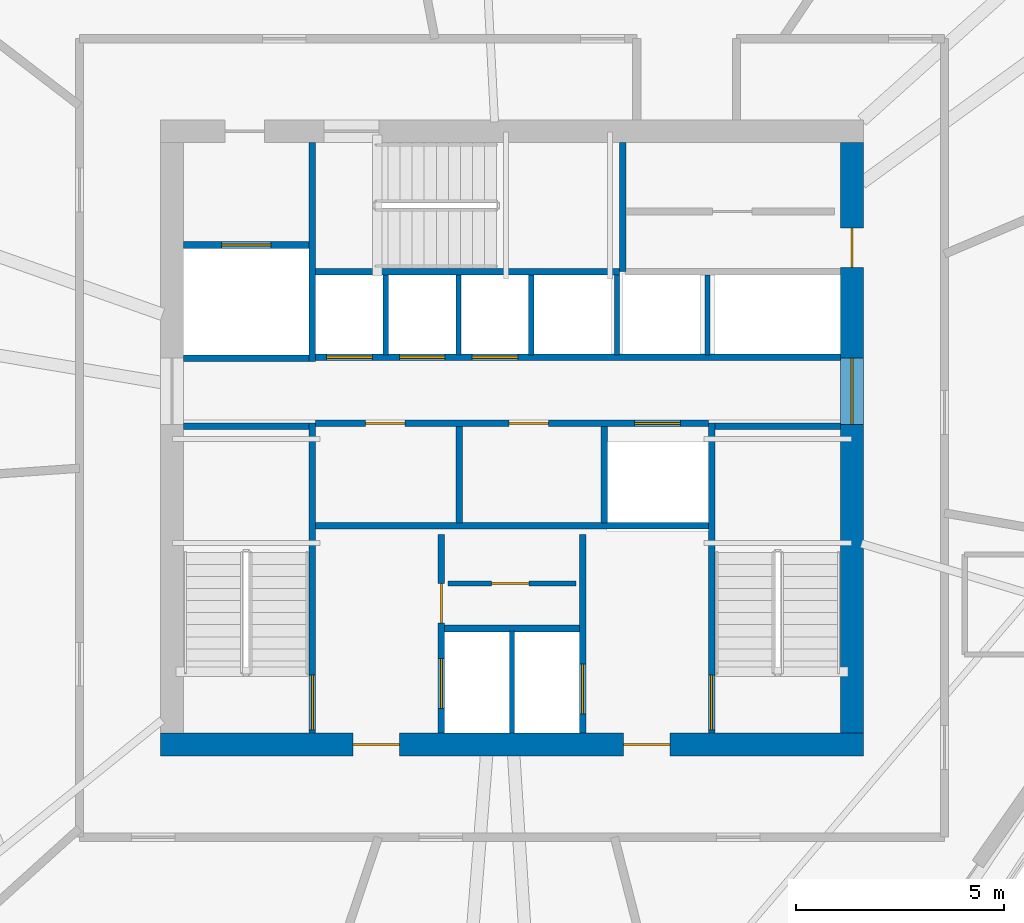
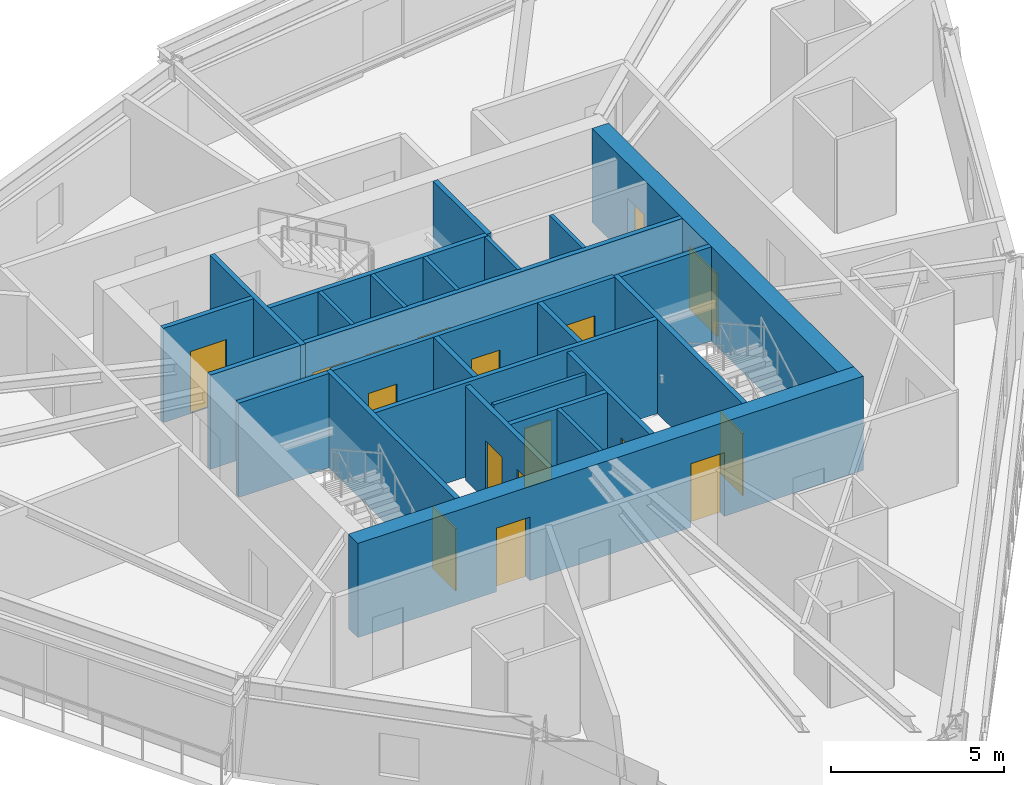
# One storey, part 8 of 13: 26 walls, 17 doors, 17 openings.
"""IFC4 building model written with IfcOpenShell, lengths in metres."""

from ifc_helpers import new_model, si_unit, direction, frame, frame_2d, origin, place, context, subcontext, project, spatial, rectangle, extrude, source, transform, mapped, material, layer, layer_set, type_object, type_shapes, element, fill, save


model = new_model("IFC4")

# Units and contexts
model_context = context("Model", 3, precision=1e-05, world=origin(), true_north=direction((0.0, 1.0)))
body_context = subcontext(model_context, "Body", "Model", "MODEL_VIEW")
ifc_project = project(units=[si_unit("LENGTHUNIT", "METRE"), si_unit("AREAUNIT", "SQUARE_METRE"), si_unit("VOLUMEUNIT", "CUBIC_METRE"), si_unit("PLANEANGLEUNIT", "RADIAN"), si_unit("MASSUNIT", "GRAM", prefix="KILO")], contexts=[model_context])

# Site, building, storey
site_placement = place(None, origin())
site = spatial("IfcSite", under=ifc_project, at=site_placement, CompositionType="ELEMENT")
building_placement = place(site_placement, origin())
building = spatial("IfcBuilding", under=site, at=building_placement, Name="Olszyna Solenne Hotel", CompositionType="ELEMENT")
storey_placement = place(building_placement, frame((0.0, 0.0, 189.199951171875)))
storey = spatial("IfcBuildingStorey", under=building, at=storey_placement, Name="L50", CompositionType="ELEMENT", Elevation=189.199951171875)

# Wall, openings, doors
ifc_material_1 = material(Name="Concrete C50/60", Category="concrete")
ifc_layer_1 = layer(ifc_material_1, 0.550048828125, Name="Concrete C50/60")
ifc_layer_set_1 = layer_set([ifc_layer_1], Name="Concrete C50/60")
wall_type_1 = type_object("IfcWallType", Name="WL-CR550", PredefinedType="SHEAR", material=ifc_layer_set_1)
wall_1_placement = place(storey_placement, frame((46.449951171875, 19.22509765625, 0.0), z_axis=(0.0, 0.0, 1.0), x_axis=(-1.0, 0.0, 0.0)))
wall_1 = element("IfcWall", 1, at=wall_1_placement, inside=storey, type_object=wall_type_1, Name="Core shear wall WL-CR550 CRW-L50-S", PredefinedType="SHEAR", context=body_context, shape_type="SweptSolid", body=[
    extrude(rectangle(XDim=16.89990234375, YDim=0.550048828125, at=frame_2d((8.449951171875, 0.0))), origin(), (0.0, 0.0, 1.0), 3.330078125),
])
opening_1_placement = place(wall_1_placement, frame((4.64990234375, 0.0, 0.0)))
opening_1 = element("IfcOpeningElement", 2, at=opening_1_placement, cuts=wall_1, Name="Opening FL-L50-1", PredefinedType="OPENING", context=body_context, shape_type="SweptSolid", body=[
    extrude(rectangle(XDim=1.1201171875, YDim=2.25, at=frame_2d((0.56005859375, 1.125))), frame((0.0, 0.28515625, 0.0), z_axis=(0.0, -1.0, 0.0), x_axis=(1.0, 0.0, 0.0)), (0.0, 0.0, 1.0), 0.570068359375),
])
opening_2_placement = place(wall_1_placement, frame((11.14990234375, 0.0, 0.0)))
opening_2 = element("IfcOpeningElement", 3, at=opening_2_placement, cuts=wall_1, Name="Opening FL-L50-2", PredefinedType="OPENING", context=body_context, shape_type="SweptSolid", body=[
    extrude(rectangle(XDim=1.1201171875, YDim=2.25, at=frame_2d((0.56005859375, 1.125))), frame((0.0, 0.28515625, 0.0), z_axis=(0.0, -1.0, 0.0), x_axis=(1.0, 0.0, 0.0)), (0.0, 0.0, 1.0), 0.570068359375),
])
ifc_material_2 = material(Name="Steel S355J2", Category="steel")
door_type_1 = type_object("IfcDoorType", Name="DR-FL1", OperationType="NOTDEFINED", PredefinedType="DOOR", material=ifc_material_2)
shared_shape_1 = source(origin(), body_context, "Body", "SweptSolid", [
    extrude(rectangle(XDim=1.1201171875, YDim=2.25, at=frame_2d((0.56005859375, 1.125))), frame((0.0, 0.02490234375, 0.0), z_axis=(0.0, -1.0, 0.0), x_axis=(1.0, 0.0, 0.0)), (0.0, 0.0, 1.0), 0.050048828125),
])
type_shapes(door_type_1, [shared_shape_1])
door_1_placement = place(opening_1_placement, origin())
door_1 = element("IfcDoor", 4, at=door_1_placement, inside=storey, type_object=door_type_1, Name="Firefighting lift lobby smoke door FL-L50-1", OperationType="SINGLE_SWING_LEFT", OverallHeight=2.25, OverallWidth=1.1201171875, PredefinedType="DOOR", context=body_context, shape_type="MappedRepresentation", body=[
    mapped(shared_shape_1, transform((0.0, 0.0, 0.0), x_axis=(1.0, 0.0, 0.0), y_axis=(0.0, 1.0, 0.0), z_axis=(0.0, 0.0, 1.0), scale=1.0)),
])
fill(opening_1, door_1)
door_2_placement = place(opening_2_placement, origin())
door_2 = element("IfcDoor", 5, at=door_2_placement, inside=storey, type_object=door_type_1, Name="Firefighting lift lobby smoke door FL-L50-2", OperationType="SINGLE_SWING_RIGHT", OverallHeight=2.25, OverallWidth=1.1201171875, PredefinedType="DOOR", context=body_context, shape_type="MappedRepresentation", body=[
    mapped(shared_shape_1, transform((0.0, 0.0, 0.0), x_axis=(1.0, 0.0, 0.0), y_axis=(0.0, 1.0, 0.0), z_axis=(0.0, 0.0, 1.0), scale=1.0)),
])
fill(opening_2, door_2)

wall_2_placement = place(storey_placement, frame((46.175048828125, 33.699951171875, 0.0), z_axis=(0.0, 0.0, 1.0), x_axis=(0.0, -1.0, 0.0)))
wall_2 = element("IfcWall", 6, at=wall_2_placement, inside=storey, type_object=wall_type_1, Name="Core shear wall WL-CR550 CRW-L50-E", PredefinedType="SHEAR", context=body_context, shape_type="SweptSolid", body=[
    extrude(rectangle(XDim=14.199951171875, YDim=0.550048828125, at=frame_2d((7.10009765625, 0.0))), origin(), (0.0, 0.0, 1.0), 3.330078125),
])
opening_3_placement = place(wall_2_placement, frame((5.179931640625, 0.0, 0.0)))
opening_3 = element("IfcOpeningElement", 7, at=opening_3_placement, cuts=wall_2, Name="Opening LHD-L50-E", PredefinedType="OPENING", context=body_context, shape_type="SweptSolid", body=[
    extrude(rectangle(XDim=1.60009765625, YDim=2.199951171875, at=frame_2d((0.800048828125, 1.10009765625))), frame((0.0, 0.28515625, 0.0), z_axis=(0.0, -1.0, 0.0), x_axis=(1.0, 0.0, 0.0)), (0.0, 0.0, 1.0), 0.570068359375),
])
opening_4_placement = place(wall_2_placement, frame((2.050048828125, 0.0, 0.0)))
opening_4 = element("IfcOpeningElement", 8, at=opening_4_placement, cuts=wall_2, Name="Opening SVD-L50-BE", PredefinedType="OPENING", context=body_context, shape_type="SweptSolid", body=[
    extrude(rectangle(XDim=0.949951171875, YDim=2.10009765625, at=frame_2d((0.47509765625, 1.050048828125))), frame((0.0, 0.28515625, 0.0), z_axis=(0.0, -1.0, 0.0), x_axis=(1.0, 0.0, 0.0)), (0.0, 0.0, 1.0), 0.570068359375),
])
door_type_2 = type_object("IfcDoorType", Name="DR-SV1", OperationType="NOTDEFINED", PredefinedType="DOOR", material=ifc_material_2)
shared_shape_2 = source(origin(), body_context, "Body", "SweptSolid", [
    extrude(rectangle(XDim=0.949951171875, YDim=2.10009765625, at=frame_2d((0.47509765625, 1.050048828125))), frame((0.0, 0.02490234375, 0.0), z_axis=(0.0, -1.0, 0.0), x_axis=(1.0, 0.0, 0.0)), (0.0, 0.0, 1.0), 0.050048828125),
])
type_shapes(door_type_2, [shared_shape_2])
door_3_placement = place(opening_4_placement, origin())
door_3 = element("IfcDoor", 9, at=door_3_placement, inside=storey, type_object=door_type_2, Name="Housekeeping core fire door SVD-L50-BE", OperationType="SINGLE_SWING_RIGHT", OverallHeight=2.10009765625, OverallWidth=0.949951171875, PredefinedType="DOOR", context=body_context, shape_type="MappedRepresentation", body=[
    mapped(shared_shape_2, transform((0.0, 0.0, 0.0), x_axis=(1.0, 0.0, 0.0), y_axis=(0.0, 1.0, 0.0), z_axis=(0.0, 0.0, 1.0), scale=1.0)),
])
fill(opening_4, door_3)
ifc_material_3 = material(Name="Timber hardwood", Category="wood")
door_type_3 = type_object("IfcDoorType", Name="DR-CR1", OperationType="DOUBLE_DOOR_SINGLE_SWING", PredefinedType="DOOR", material=ifc_material_3)
shared_shape_3 = source(origin(), body_context, "Body", "SweptSolid", [
    extrude(rectangle(XDim=1.60009765625, YDim=2.199951171875, at=frame_2d((0.800048828125, 1.10009765625))), frame((0.0, 0.02490234375, 0.0), z_axis=(0.0, -1.0, 0.0), x_axis=(1.0, 0.0, 0.0)), (0.0, 0.0, 1.0), 0.050048828125),
])
type_shapes(door_type_3, [shared_shape_3])
door_4_placement = place(opening_3_placement, origin())
door_4 = element("IfcDoor", 10, at=door_4_placement, inside=storey, type_object=door_type_3, Name="Passenger lift lobby East fire door LHD-L50-E", OperationType="DOUBLE_DOOR_SINGLE_SWING", OverallHeight=2.199951171875, OverallWidth=1.60009765625, PredefinedType="DOOR", context=body_context, shape_type="MappedRepresentation", body=[
    mapped(shared_shape_3, transform((0.0, 0.0, 0.0), x_axis=(1.0, 0.0, 0.0), y_axis=(0.0, 1.0, 0.0), z_axis=(0.0, 0.0, 1.0), scale=1.0)),
])
fill(opening_3, door_4)

# Wall
ifc_material_4 = material(Name="Acoustic gypsum partition", Category="gypsum")
ifc_layer_2 = layer(ifc_material_4, 0.125, Name="Acoustic gypsum partition")
ifc_layer_set_2 = layer_set([ifc_layer_2], Name="Acoustic gypsum partition")
wall_type_2 = type_object("IfcWallType", Name="WL-PT125", PredefinedType="PARTITIONING", material=ifc_layer_set_2)
wall_3_placement = place(storey_placement, frame((38.0, 19.5, 0.0), z_axis=(0.0, 0.0, 1.0), x_axis=(0.0, 1.0, 0.0)))
element("IfcWall", 11, at=wall_3_placement, inside=storey, type_object=wall_type_2, Name="Core shaft compartment wall CW-L50-FFM", PredefinedType="PARTITIONING", context=body_context, shape_type="SweptSolid", body=[
    extrude(rectangle(XDim=2.4599609375, YDim=0.125, at=frame_2d((1.22998046875, 0.0))), origin(), (0.0, 0.0, 1.0), 3.330078125),
])

# Wall, opening, door
wall_4_placement = place(storey_placement, frame((36.4599609375, 23.10205078125, 0.0), z_axis=(0.0, 0.0, 1.0), x_axis=(1.0, 0.0, 0.0)))
wall_4 = element("IfcWall", 12, at=wall_4_placement, inside=storey, type_object=wall_type_2, Name="Core shaft compartment wall CW-L50-SC2", PredefinedType="PARTITIONING", context=body_context, shape_type="SweptSolid", body=[
    extrude(rectangle(XDim=3.080078125, YDim=0.125, at=frame_2d((1.5400390625, 0.0))), origin(), (0.0, 0.0, 1.0), 3.330078125),
])
opening_5_placement = place(wall_4_placement, frame((1.050048828125, 0.0, 0.0)))
opening_5 = element("IfcOpeningElement", 13, at=opening_5_placement, cuts=wall_4, Name="Opening SVD-L50-SC2", PredefinedType="OPENING", context=body_context, shape_type="SweptSolid", body=[
    extrude(rectangle(XDim=0.89990234375, YDim=2.10009765625, at=frame_2d((0.449951171875, 1.050048828125))), frame((0.0, 0.072509765625, 0.0), z_axis=(0.0, -1.0, 0.0), x_axis=(1.0, 0.0, 0.0)), (0.0, 0.0, 1.0), 0.14501953125),
])
door_type_4 = type_object("IfcDoorType", Name="DR-WC1", OperationType="NOTDEFINED", PredefinedType="DOOR", material=ifc_material_3)
shared_shape_4 = source(origin(), body_context, "Body", "SweptSolid", [
    extrude(rectangle(XDim=0.89990234375, YDim=2.10009765625, at=frame_2d((0.449951171875, 1.050048828125))), frame((0.0, 0.02490234375, 0.0), z_axis=(0.0, -1.0, 0.0), x_axis=(1.0, 0.0, 0.0)), (0.0, 0.0, 1.0), 0.050048828125),
])
type_shapes(door_type_4, [shared_shape_4])
door_5_placement = place(opening_5_placement, origin())
door_5 = element("IfcDoor", 14, at=door_5_placement, inside=storey, type_object=door_type_4, Name="Butler pantry door SVD-L50-SC2", OperationType="SINGLE_SWING_RIGHT", OverallHeight=2.10009765625, OverallWidth=0.89990234375, PredefinedType="DOOR", context=body_context, shape_type="MappedRepresentation", body=[
    mapped(shared_shape_4, transform((0.0, 0.0, 0.0), x_axis=(1.0, 0.0, 0.0), y_axis=(0.0, 1.0, 0.0), z_axis=(0.0, 0.0, 1.0), scale=1.0)),
])
fill(opening_5, door_5)

# Walls
for number, where, z_axis, x_axis, name in (
    (15, (34.965087890625, 28.60009765625, 0.0), (0.0, 0.0, 1.0), (0.0, 1.0, 0.0), "Core shaft compartment wall CW-L50-DIVN349"),
    (16, (36.715087890625, 28.60009765625, 0.0), (0.0, 0.0, 1.0), (0.0, 1.0, 0.0), "Core shaft compartment wall CW-L50-DIVN367"),
    (17, (38.465087890625, 28.60009765625, 0.0), (0.0, 0.0, 1.0), (0.0, 1.0, 0.0), "Core shaft compartment wall CW-L50-DIVN384"),
    (18, (40.52490234375, 28.60009765625, 0.0), (0.0, 0.0, 1.0), (0.0, 1.0, 0.0), "Core shaft compartment wall CW-L50-DIVEX405"),
    (19, (42.699951171875, 28.60009765625, 0.0), (0.0, 0.0, 1.0), (0.0, 1.0, 0.0), "Core shaft compartment wall CW-L50-DIVEX427"),
):
    element("IfcWall", number, at=place(storey_placement, frame(where, z_axis=z_axis, x_axis=x_axis)), inside=storey, type_object=wall_type_2, Name=name, PredefinedType="PARTITIONING", context=body_context, shape_type="SweptSolid", body=[
        extrude(rectangle(XDim=1.919921875, YDim=0.125, at=frame_2d((0.9599609375, 0.0))), origin(), (0.0, 0.0, 1.0), 3.330078125),
    ])

# Wall, opening, door
ifc_layer_3 = layer(ifc_material_4, 0.159912109375, Name="Acoustic gypsum partition")
ifc_layer_set_3 = layer_set([ifc_layer_3], Name="Acoustic gypsum partition")
wall_type_3 = type_object("IfcWallType", Name="WL-PT160", PredefinedType="PARTITIONING", material=ifc_layer_set_3)
wall_5_placement = place(storey_placement, frame((33.199951171875, 19.5, 0.0), z_axis=(0.0, 0.0, 1.0), x_axis=(0.0, 1.0, 0.0)))
wall_5 = element("IfcWall", 20, at=wall_5_placement, inside=storey, type_object=wall_type_3, Name="Core shaft compartment wall CW-L50-ST1E", PredefinedType="PARTITIONING", context=body_context, shape_type="SweptSolid", body=[
    extrude(rectangle(XDim=7.4599609375, YDim=0.159912109375, at=frame_2d((3.72998046875, 0.0))), origin(), (0.0, 0.0, 1.0), 3.330078125),
])
opening_6_placement = place(wall_5_placement, frame((0.080078125, 0.0, 0.0)))
opening_6 = element("IfcOpeningElement", 21, at=opening_6_placement, cuts=wall_5, Name="Opening STD-L50-01", PredefinedType="OPENING", context=body_context, shape_type="SweptSolid", body=[
    extrude(rectangle(XDim=1.320068359375, YDim=2.199951171875, at=frame_2d((0.66015625, 1.10009765625))), frame((0.0, 0.08984375, 0.0), z_axis=(0.0, -1.0, 0.0), x_axis=(1.0, 0.0, 0.0)), (0.0, 0.0, 1.0), 0.179931640625),
])
door_type_5 = type_object("IfcDoorType", Name="DR-ST1", OperationType="NOTDEFINED", PredefinedType="DOOR", material=ifc_material_2)
shared_shape_5 = source(origin(), body_context, "Body", "SweptSolid", [
    extrude(rectangle(XDim=1.320068359375, YDim=2.199951171875, at=frame_2d((0.66015625, 1.10009765625))), frame((0.0, 0.02490234375, 0.0), z_axis=(0.0, -1.0, 0.0), x_axis=(1.0, 0.0, 0.0)), (0.0, 0.0, 1.0), 0.050048828125),
])
type_shapes(door_type_5, [shared_shape_5])
door_6_placement = place(opening_6_placement, origin())
door_6 = element("IfcDoor", 22, at=door_6_placement, inside=storey, type_object=door_type_5, Name="Pressurised exit stair ST1 fire door STD-L50-01", OperationType="SINGLE_SWING_LEFT", OverallHeight=2.199951171875, OverallWidth=1.320068359375, PredefinedType="DOOR", context=body_context, shape_type="MappedRepresentation", body=[
    mapped(shared_shape_5, transform((0.0, 0.0, 0.0), x_axis=(1.0, 0.0, 0.0), y_axis=(0.0, 1.0, 0.0), z_axis=(0.0, 0.0, 1.0), scale=1.0)),
])
fill(opening_6, door_6)

# Wall
wall_6_placement = place(storey_placement, frame((30.10009765625, 26.8798828125, 0.0), z_axis=(0.0, 0.0, 1.0), x_axis=(1.0, 0.0, 0.0)))
element("IfcWall", 23, at=wall_6_placement, inside=storey, type_object=wall_type_3, Name="Core shaft compartment wall CW-L50-ST1N", PredefinedType="PARTITIONING", context=body_context, shape_type="SweptSolid", body=[
    extrude(rectangle(XDim=3.02001953125, YDim=0.159912109375, at=frame_2d((1.510009765625, 0.0))), origin(), (0.0, 0.0, 1.0), 3.330078125),
])

# Wall, opening, door
wall_7_placement = place(storey_placement, frame((42.800048828125, 26.9599609375, 0.0), z_axis=(0.0, 0.0, 1.0), x_axis=(0.0, -1.0, 0.0)))
wall_7 = element("IfcWall", 24, at=wall_7_placement, inside=storey, type_object=wall_type_3, Name="Core shaft compartment wall CW-L50-ST2W", PredefinedType="PARTITIONING", context=body_context, shape_type="SweptSolid", body=[
    extrude(rectangle(XDim=7.4599609375, YDim=0.159912109375, at=frame_2d((3.72998046875, 0.0))), origin(), (0.0, 0.0, 1.0), 3.330078125),
])
opening_7_placement = place(wall_7_placement, frame((6.06005859375, 0.0, 0.0)))
opening_7 = element("IfcOpeningElement", 25, at=opening_7_placement, cuts=wall_7, Name="Opening STD-L50-02", PredefinedType="OPENING", context=body_context, shape_type="SweptSolid", body=[
    extrude(rectangle(XDim=1.320068359375, YDim=2.199951171875, at=frame_2d((0.66015625, 1.10009765625))), frame((0.0, 0.08984375, 0.0), z_axis=(0.0, -1.0, 0.0), x_axis=(1.0, 0.0, 0.0)), (0.0, 0.0, 1.0), 0.179931640625),
])
door_7_placement = place(opening_7_placement, origin())
door_7 = element("IfcDoor", 26, at=door_7_placement, inside=storey, type_object=door_type_5, Name="Pressurised exit stair ST2 fire door STD-L50-02", OperationType="SINGLE_SWING_RIGHT", OverallHeight=2.199951171875, OverallWidth=1.320068359375, PredefinedType="DOOR", context=body_context, shape_type="MappedRepresentation", body=[
    mapped(shared_shape_5, transform((0.0, 0.0, 0.0), x_axis=(1.0, 0.0, 0.0), y_axis=(0.0, 1.0, 0.0), z_axis=(0.0, 0.0, 1.0), scale=1.0)),
])
fill(opening_7, door_7)

# Walls
wall_8_placement = place(storey_placement, frame((42.8798828125, 26.8798828125, 0.0), z_axis=(0.0, 0.0, 1.0), x_axis=(1.0, 0.0, 0.0)))
element("IfcWall", 27, at=wall_8_placement, inside=storey, type_object=wall_type_3, Name="Core shaft compartment wall CW-L50-ST2N", PredefinedType="PARTITIONING", context=body_context, shape_type="SweptSolid", body=[
    extrude(rectangle(XDim=3.02001953125, YDim=0.159912109375, at=frame_2d((1.510009765625, 0.0))), origin(), (0.0, 0.0, 1.0), 3.330078125),
])
wall_9_placement = place(storey_placement, frame((33.280029296875, 30.60009765625, 0.0), z_axis=(0.0, 0.0, 1.0), x_axis=(1.0, 0.0, 0.0)))
element("IfcWall", 28, at=wall_9_placement, inside=storey, type_object=wall_type_3, Name="Core shaft compartment wall CW-L50-ST3S", PredefinedType="PARTITIONING", context=body_context, shape_type="SweptSolid", body=[
    extrude(rectangle(XDim=7.300048828125, YDim=0.159912109375, at=frame_2d((3.64990234375, 0.0))), origin(), (0.0, 0.0, 1.0), 3.330078125),
])
wall_10_placement = place(storey_placement, frame((40.659912109375, 30.60009765625, 0.0), z_axis=(0.0, 0.0, 1.0), x_axis=(0.0, 1.0, 0.0)))
element("IfcWall", 29, at=wall_10_placement, inside=storey, type_object=wall_type_3, Name="Core shaft compartment wall CW-L50-ST3E", PredefinedType="PARTITIONING", context=body_context, shape_type="SweptSolid", body=[
    extrude(rectangle(XDim=3.099853515625, YDim=0.159912109375, at=frame_2d((1.5498046875, 0.0))), origin(), (0.0, 0.0, 1.0), 3.330078125),
])

# Wall, openings, doors
wall_11_placement = place(storey_placement, frame((36.300048828125, 19.5, 0.0), z_axis=(0.0, 0.0, 1.0), x_axis=(0.0, 1.0, 0.0)))
wall_11 = element("IfcWall", 30, at=wall_11_placement, inside=storey, type_object=wall_type_3, Name="Core shaft compartment wall CW-L50-FF1W", PredefinedType="PARTITIONING", context=body_context, shape_type="SweptSolid", body=[
    extrude(rectangle(XDim=4.780029296875, YDim=0.159912109375, at=frame_2d((2.39013671875, 0.0))), origin(), (0.0, 0.0, 1.0), 3.330078125),
])
opening_8_placement = place(wall_11_placement, frame((0.60009765625, 0.0, 0.0)))
opening_8 = element("IfcOpeningElement", 31, at=opening_8_placement, cuts=wall_11, Name="Opening LD-L50-FF1", PredefinedType="OPENING", context=body_context, shape_type="SweptSolid", body=[
    extrude(rectangle(XDim=1.199951171875, YDim=2.199951171875, at=frame_2d((0.60009765625, 1.10009765625))), frame((0.0, 0.08984375, 0.0), z_axis=(0.0, -1.0, 0.0), x_axis=(1.0, 0.0, 0.0)), (0.0, 0.0, 1.0), 0.179931640625),
])
opening_9_placement = place(wall_11_placement, frame((2.64990234375, 0.0, 0.0)))
opening_9 = element("IfcOpeningElement", 32, at=opening_9_placement, cuts=wall_11, Name="Opening SVD-L50-SMK", PredefinedType="OPENING", context=body_context, shape_type="SweptSolid", body=[
    extrude(rectangle(XDim=0.949951171875, YDim=2.10009765625, at=frame_2d((0.47509765625, 1.050048828125))), frame((0.0, 0.08984375, 0.0), z_axis=(0.0, -1.0, 0.0), x_axis=(1.0, 0.0, 0.0)), (0.0, 0.0, 1.0), 0.179931640625),
])
door_8_placement = place(opening_9_placement, origin())
door_8 = element("IfcDoor", 33, at=door_8_placement, inside=storey, type_object=door_type_2, Name="Valet and core service room door SVD-L50-SMK", OperationType="SINGLE_SWING_LEFT", OverallHeight=2.10009765625, OverallWidth=0.949951171875, PredefinedType="DOOR", context=body_context, shape_type="MappedRepresentation", body=[
    mapped(shared_shape_2, transform((0.0, 0.0, 0.0), x_axis=(1.0, 0.0, 0.0), y_axis=(0.0, 1.0, 0.0), z_axis=(0.0, 0.0, 1.0), scale=1.0)),
])
fill(opening_9, door_8)
door_type_6 = type_object("IfcDoorType", Name="LD-FF1", OperationType="DOUBLE_DOOR_SLIDING", PredefinedType="DOOR", material=ifc_material_2)
shared_shape_6 = source(origin(), body_context, "Body", "SweptSolid", [
    extrude(rectangle(XDim=1.199951171875, YDim=2.199951171875, at=frame_2d((0.60009765625, 1.10009765625))), frame((0.0, 0.02490234375, 0.0), z_axis=(0.0, -1.0, 0.0), x_axis=(1.0, 0.0, 0.0)), (0.0, 0.0, 1.0), 0.050048828125),
])
type_shapes(door_type_6, [shared_shape_6])
door_9_placement = place(opening_8_placement, origin())
door_9 = element("IfcDoor", 34, at=door_9_placement, inside=storey, type_object=door_type_6, Name="Firefighters lift FF1 sliding landing door LD-L50-FF1", OperationType="DOUBLE_DOOR_SLIDING", OverallHeight=2.199951171875, OverallWidth=1.199951171875, PredefinedType="DOOR", context=body_context, shape_type="MappedRepresentation", body=[
    mapped(shared_shape_6, transform((0.0, 0.0, 0.0), x_axis=(1.0, 0.0, 0.0), y_axis=(0.0, 1.0, 0.0), z_axis=(0.0, 0.0, 1.0), scale=1.0)),
])
fill(opening_8, door_9)

# Wall, opening, door
wall_12_placement = place(storey_placement, frame((39.699951171875, 24.280029296875, 0.0), z_axis=(0.0, 0.0, 1.0), x_axis=(0.0, -1.0, 0.0)))
wall_12 = element("IfcWall", 35, at=wall_12_placement, inside=storey, type_object=wall_type_3, Name="Core shaft compartment wall CW-L50-FF2E", PredefinedType="PARTITIONING", context=body_context, shape_type="SweptSolid", body=[
    extrude(rectangle(XDim=4.780029296875, YDim=0.159912109375, at=frame_2d((2.39013671875, 0.0))), origin(), (0.0, 0.0, 1.0), 3.330078125),
])
opening_10_placement = place(wall_12_placement, frame((3.1201171875, 0.0, 0.0)))
opening_10 = element("IfcOpeningElement", 36, at=opening_10_placement, cuts=wall_12, Name="Opening LD-L50-FF2", PredefinedType="OPENING", context=body_context, shape_type="SweptSolid", body=[
    extrude(rectangle(XDim=1.199951171875, YDim=2.199951171875, at=frame_2d((0.60009765625, 1.10009765625))), frame((0.0, 0.08984375, 0.0), z_axis=(0.0, -1.0, 0.0), x_axis=(1.0, 0.0, 0.0)), (0.0, 0.0, 1.0), 0.179931640625),
])
door_10_placement = place(opening_10_placement, origin())
door_10 = element("IfcDoor", 37, at=door_10_placement, inside=storey, type_object=door_type_6, Name="Firefighters lift FF2 sliding landing door LD-L50-FF2", OperationType="DOUBLE_DOOR_SLIDING", OverallHeight=2.199951171875, OverallWidth=1.199951171875, PredefinedType="DOOR", context=body_context, shape_type="MappedRepresentation", body=[
    mapped(shared_shape_6, transform((0.0, 0.0, 0.0), x_axis=(1.0, 0.0, 0.0), y_axis=(0.0, 1.0, 0.0), z_axis=(0.0, 0.0, 1.0), scale=1.0)),
])
fill(opening_10, door_10)

# Walls
wall_13_placement = place(storey_placement, frame((36.3798828125, 22.02001953125, 0.0), z_axis=(0.0, 0.0, 1.0), x_axis=(1.0, 0.0, 0.0)))
element("IfcWall", 38, at=wall_13_placement, inside=storey, type_object=wall_type_3, Name="Core shaft compartment wall CW-L50-FFN", PredefinedType="PARTITIONING", context=body_context, shape_type="SweptSolid", body=[
    extrude(rectangle(XDim=3.240234375, YDim=0.159912109375, at=frame_2d((1.6201171875, 0.0))), origin(), (0.0, 0.0, 1.0), 3.330078125),
])
wall_14_placement = place(storey_placement, frame((33.280029296875, 24.489990234375, 0.0), z_axis=(0.0, 0.0, 1.0), x_axis=(1.0, 0.0, 0.0)))
element("IfcWall", 39, at=wall_14_placement, inside=storey, type_object=wall_type_3, Name="Core shaft compartment wall CW-L50-FFBN", PredefinedType="PARTITIONING", context=body_context, shape_type="SweptSolid", body=[
    extrude(rectangle(XDim=9.43994140625, YDim=0.159912109375, at=frame_2d((4.719970703125, 0.0))), origin(), (0.0, 0.0, 1.0), 3.330078125),
])
wall_15_placement = place(storey_placement, frame((30.10009765625, 28.52001953125, 0.0), z_axis=(0.0, 0.0, 1.0), x_axis=(1.0, 0.0, 0.0)))
element("IfcWall", 40, at=wall_15_placement, inside=storey, type_object=wall_type_3, Name="Core shaft compartment wall CW-L50-SV1S", PredefinedType="PARTITIONING", context=body_context, shape_type="SweptSolid", body=[
    extrude(rectangle(XDim=3.02001953125, YDim=0.159912109375, at=frame_2d((1.510009765625, 0.0))), origin(), (0.0, 0.0, 1.0), 3.330078125),
])
wall_16_placement = place(storey_placement, frame((33.199951171875, 28.43994140625, 0.0), z_axis=(0.0, 0.0, 1.0), x_axis=(0.0, 1.0, 0.0)))
element("IfcWall", 41, at=wall_16_placement, inside=storey, type_object=wall_type_3, Name="Core shaft compartment wall CW-L50-SV1E", PredefinedType="PARTITIONING", context=body_context, shape_type="SweptSolid", body=[
    extrude(rectangle(XDim=5.260009765625, YDim=0.159912109375, at=frame_2d((2.6298828125, 0.0))), origin(), (0.0, 0.0, 1.0), 3.330078125),
])

# Wall, opening, door
wall_17_placement = place(storey_placement, frame((30.10009765625, 31.239990234375, 0.0), z_axis=(0.0, 0.0, 1.0), x_axis=(1.0, 0.0, 0.0)))
wall_17 = element("IfcWall", 42, at=wall_17_placement, inside=storey, type_object=wall_type_3, Name="Core shaft compartment wall CW-L50-SV1N", PredefinedType="PARTITIONING", context=body_context, shape_type="SweptSolid", body=[
    extrude(rectangle(XDim=3.02001953125, YDim=0.159912109375, at=frame_2d((1.510009765625, 0.0))), origin(), (0.0, 0.0, 1.0), 3.330078125),
])
opening_11_placement = place(wall_17_placement, frame((0.909912109375, 0.0, 0.0)))
opening_11 = element("IfcOpeningElement", 43, at=opening_11_placement, cuts=wall_17, Name="Opening LD-L50-SV1", PredefinedType="OPENING", context=body_context, shape_type="SweptSolid", body=[
    extrude(rectangle(XDim=1.199951171875, YDim=2.199951171875, at=frame_2d((0.60009765625, 1.10009765625))), frame((0.0, 0.08984375, 0.0), z_axis=(0.0, -1.0, 0.0), x_axis=(1.0, 0.0, 0.0)), (0.0, 0.0, 1.0), 0.179931640625),
])
door_11_placement = place(opening_11_placement, origin())
door_11 = element("IfcDoor", 44, at=door_11_placement, inside=storey, type_object=door_type_6, Name="Service lift SV1 sliding landing door LD-L50-SV1", OperationType="DOUBLE_DOOR_SLIDING", OverallHeight=2.199951171875, OverallWidth=1.199951171875, PredefinedType="DOOR", context=body_context, shape_type="MappedRepresentation", body=[
    mapped(shared_shape_6, transform((0.0, 0.0, 0.0), x_axis=(1.0, 0.0, 0.0), y_axis=(0.0, 1.0, 0.0), z_axis=(0.0, 0.0, 1.0), scale=1.0)),
])
fill(opening_11, door_11)

# Wall, openings, doors
wall_18_placement = place(storey_placement, frame((33.280029296875, 26.949951171875, 0.0), z_axis=(0.0, 0.0, 1.0), x_axis=(1.0, 0.0, 0.0)))
wall_18 = element("IfcWall", 45, at=wall_18_placement, inside=storey, type_object=wall_type_3, Name="Core shaft compartment wall CW-L50-LRS", PredefinedType="PARTITIONING", context=body_context, shape_type="SweptSolid", body=[
    extrude(rectangle(XDim=9.43994140625, YDim=0.159912109375, at=frame_2d((4.719970703125, 0.0))), origin(), (0.0, 0.0, 1.0), 3.330078125),
])
opening_12_placement = place(wall_18_placement, frame((1.199951171875, 0.0, 0.0)))
opening_12 = element("IfcOpeningElement", 46, at=opening_12_placement, cuts=wall_18, Name="Opening SVD-L50-L71", PredefinedType="OPENING", context=body_context, shape_type="SweptSolid", body=[
    extrude(rectangle(XDim=0.949951171875, YDim=2.10009765625, at=frame_2d((0.47509765625, 1.050048828125))), frame((0.0, 0.08984375, 0.0), z_axis=(0.0, -1.0, 0.0), x_axis=(1.0, 0.0, 0.0)), (0.0, 0.0, 1.0), 0.179931640625),
])
opening_13_placement = place(wall_18_placement, frame((4.64990234375, 0.0, 0.0)))
opening_13 = element("IfcOpeningElement", 47, at=opening_13_placement, cuts=wall_18, Name="Opening SVD-L50-L72", PredefinedType="OPENING", context=body_context, shape_type="SweptSolid", body=[
    extrude(rectangle(XDim=0.949951171875, YDim=2.10009765625, at=frame_2d((0.47509765625, 1.050048828125))), frame((0.0, 0.08984375, 0.0), z_axis=(0.0, -1.0, 0.0), x_axis=(1.0, 0.0, 0.0)), (0.0, 0.0, 1.0), 0.179931640625),
])
opening_14_placement = place(wall_18_placement, frame((7.669921875, 0.0, 0.0)))
opening_14 = element("IfcOpeningElement", 48, at=opening_14_placement, cuts=wall_18, Name="Opening LD-L50-PL5", PredefinedType="OPENING", context=body_context, shape_type="SweptSolid", body=[
    extrude(rectangle(XDim=1.10009765625, YDim=2.199951171875, at=frame_2d((0.550048828125, 1.10009765625))), frame((0.0, 0.08984375, 0.0), z_axis=(0.0, -1.0, 0.0), x_axis=(1.0, 0.0, 0.0)), (0.0, 0.0, 1.0), 0.179931640625),
])
door_12_placement = place(opening_12_placement, origin())
door_12 = element("IfcDoor", 49, at=door_12_placement, inside=storey, type_object=door_type_2, Name="Recaptured core room fire door SVD-L50-L71", OperationType="SINGLE_SWING_LEFT", OverallHeight=2.10009765625, OverallWidth=0.949951171875, PredefinedType="DOOR", context=body_context, shape_type="MappedRepresentation", body=[
    mapped(shared_shape_2, transform((0.0, 0.0, 0.0), x_axis=(1.0, 0.0, 0.0), y_axis=(0.0, 1.0, 0.0), z_axis=(0.0, 0.0, 1.0), scale=1.0)),
])
fill(opening_12, door_12)
door_13_placement = place(opening_13_placement, origin())
door_13 = element("IfcDoor", 50, at=door_13_placement, inside=storey, type_object=door_type_2, Name="Recaptured core room fire door SVD-L50-L72", OperationType="SINGLE_SWING_RIGHT", OverallHeight=2.10009765625, OverallWidth=0.949951171875, PredefinedType="DOOR", context=body_context, shape_type="MappedRepresentation", body=[
    mapped(shared_shape_2, transform((0.0, 0.0, 0.0), x_axis=(1.0, 0.0, 0.0), y_axis=(0.0, 1.0, 0.0), z_axis=(0.0, 0.0, 1.0), scale=1.0)),
])
fill(opening_13, door_13)
door_type_7 = type_object("IfcDoorType", Name="LD-P1", OperationType="DOUBLE_DOOR_SLIDING", PredefinedType="DOOR", material=ifc_material_2)
shared_shape_7 = source(origin(), body_context, "Body", "SweptSolid", [
    extrude(rectangle(XDim=1.10009765625, YDim=2.199951171875, at=frame_2d((0.550048828125, 1.10009765625))), frame((0.0, 0.02490234375, 0.0), z_axis=(0.0, -1.0, 0.0), x_axis=(1.0, 0.0, 0.0)), (0.0, 0.0, 1.0), 0.050048828125),
])
type_shapes(door_type_7, [shared_shape_7])
door_14_placement = place(opening_14_placement, origin())
door_14 = element("IfcDoor", 51, at=door_14_placement, inside=storey, type_object=door_type_7, Name="Passenger lift PL5 sliding landing door LD-L50-PL5", OperationType="DOUBLE_DOOR_SLIDING", OverallHeight=2.199951171875, OverallWidth=1.10009765625, PredefinedType="DOOR", context=body_context, shape_type="MappedRepresentation", body=[
    mapped(shared_shape_7, transform((0.0, 0.0, 0.0), x_axis=(1.0, 0.0, 0.0), y_axis=(0.0, 1.0, 0.0), z_axis=(0.0, 0.0, 1.0), scale=1.0)),
])
fill(opening_14, door_14)

# Walls
for number, where, z_axis, x_axis, name in (
    (52, (36.72998046875, 24.56005859375, 0.0), (0.0, 0.0, 1.0), (0.0, 1.0, 0.0), "Core shaft compartment wall CW-L50-LV7DIV1"),
    (53, (40.215087890625, 24.56005859375, 0.0), (0.0, 0.0, 1.0), (0.0, 1.0, 0.0), "Core shaft compartment wall CW-L50-LV7DIV2"),
):
    element("IfcWall", number, at=place(storey_placement, frame(where, z_axis=z_axis, x_axis=x_axis)), inside=storey, type_object=wall_type_3, Name=name, PredefinedType="PARTITIONING", context=body_context, shape_type="SweptSolid", body=[
        extrude(rectangle(XDim=2.31005859375, YDim=0.159912109375, at=frame_2d((1.155029296875, 0.0))), origin(), (0.0, 0.0, 1.0), 3.330078125),
    ])

# Wall, openings, doors
wall_19_placement = place(storey_placement, frame((33.280029296875, 28.5400390625, 0.0), z_axis=(0.0, 0.0, 1.0), x_axis=(1.0, 0.0, 0.0)))
wall_19 = element("IfcWall", 54, at=wall_19_placement, inside=storey, type_object=wall_type_3, Name="Core shaft compartment wall CW-L50-LRN", PredefinedType="PARTITIONING", context=body_context, shape_type="SweptSolid", body=[
    extrude(rectangle(XDim=12.619873046875, YDim=0.159912109375, at=frame_2d((6.31005859375, 0.0))), origin(), (0.0, 0.0, 1.0), 3.330078125),
])
opening_15_placement = place(wall_19_placement, frame((0.260009765625, 0.0, 0.0)))
opening_15 = element("IfcOpeningElement", 55, at=opening_15_placement, cuts=wall_19, Name="Opening LD-L50-PL6", PredefinedType="OPENING", context=body_context, shape_type="SweptSolid", body=[
    extrude(rectangle(XDim=1.10009765625, YDim=2.199951171875, at=frame_2d((0.550048828125, 1.10009765625))), frame((0.0, 0.08984375, 0.0), z_axis=(0.0, -1.0, 0.0), x_axis=(1.0, 0.0, 0.0)), (0.0, 0.0, 1.0), 0.179931640625),
])
opening_16_placement = place(wall_19_placement, frame((2.010009765625, 0.0, 0.0)))
opening_16 = element("IfcOpeningElement", 56, at=opening_16_placement, cuts=wall_19, Name="Opening LD-L50-PL7", PredefinedType="OPENING", context=body_context, shape_type="SweptSolid", body=[
    extrude(rectangle(XDim=1.10009765625, YDim=2.199951171875, at=frame_2d((0.550048828125, 1.10009765625))), frame((0.0, 0.08984375, 0.0), z_axis=(0.0, -1.0, 0.0), x_axis=(1.0, 0.0, 0.0)), (0.0, 0.0, 1.0), 0.179931640625),
])
opening_17_placement = place(wall_19_placement, frame((3.760009765625, 0.0, 0.0)))
opening_17 = element("IfcOpeningElement", 57, at=opening_17_placement, cuts=wall_19, Name="Opening LD-L50-PL8", PredefinedType="OPENING", context=body_context, shape_type="SweptSolid", body=[
    extrude(rectangle(XDim=1.10009765625, YDim=2.199951171875, at=frame_2d((0.550048828125, 1.10009765625))), frame((0.0, 0.08984375, 0.0), z_axis=(0.0, -1.0, 0.0), x_axis=(1.0, 0.0, 0.0)), (0.0, 0.0, 1.0), 0.179931640625),
])
door_15_placement = place(opening_15_placement, origin())
door_15 = element("IfcDoor", 58, at=door_15_placement, inside=storey, type_object=door_type_7, Name="Passenger lift PL6 sliding landing door LD-L50-PL6", OperationType="DOUBLE_DOOR_SLIDING", OverallHeight=2.199951171875, OverallWidth=1.10009765625, PredefinedType="DOOR", context=body_context, shape_type="MappedRepresentation", body=[
    mapped(shared_shape_7, transform((0.0, 0.0, 0.0), x_axis=(1.0, 0.0, 0.0), y_axis=(0.0, 1.0, 0.0), z_axis=(0.0, 0.0, 1.0), scale=1.0)),
])
fill(opening_15, door_15)
door_16_placement = place(opening_16_placement, origin())
door_16 = element("IfcDoor", 59, at=door_16_placement, inside=storey, type_object=door_type_7, Name="Passenger lift PL7 sliding landing door LD-L50-PL7", OperationType="DOUBLE_DOOR_SLIDING", OverallHeight=2.199951171875, OverallWidth=1.10009765625, PredefinedType="DOOR", context=body_context, shape_type="MappedRepresentation", body=[
    mapped(shared_shape_7, transform((0.0, 0.0, 0.0), x_axis=(1.0, 0.0, 0.0), y_axis=(0.0, 1.0, 0.0), z_axis=(0.0, 0.0, 1.0), scale=1.0)),
])
fill(opening_16, door_16)
door_17_placement = place(opening_17_placement, origin())
door_17 = element("IfcDoor", 60, at=door_17_placement, inside=storey, type_object=door_type_7, Name="Passenger lift PL8 sliding landing door LD-L50-PL8", OperationType="DOUBLE_DOOR_SLIDING", OverallHeight=2.199951171875, OverallWidth=1.10009765625, PredefinedType="DOOR", context=body_context, shape_type="MappedRepresentation", body=[
    mapped(shared_shape_7, transform((0.0, 0.0, 0.0), x_axis=(1.0, 0.0, 0.0), y_axis=(0.0, 1.0, 0.0), z_axis=(0.0, 0.0, 1.0), scale=1.0)),
])
fill(opening_17, door_17)

save(model, "model.ifc")
